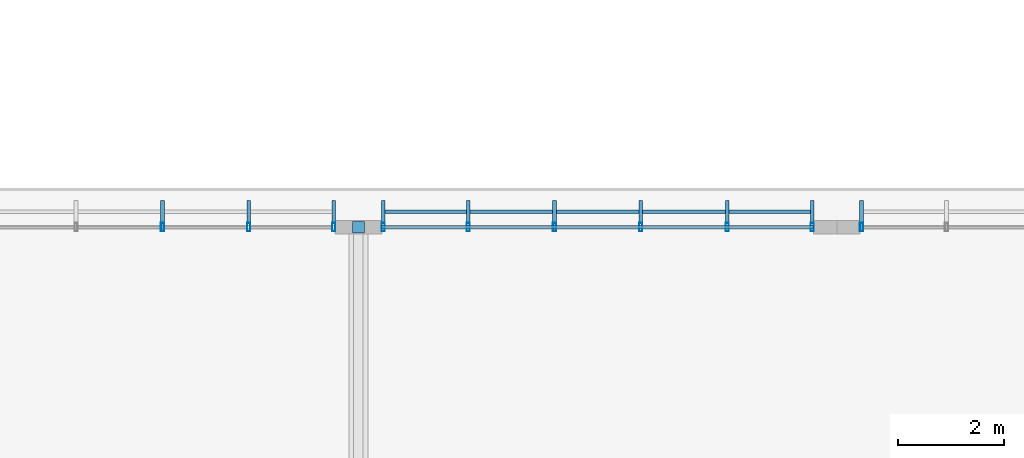
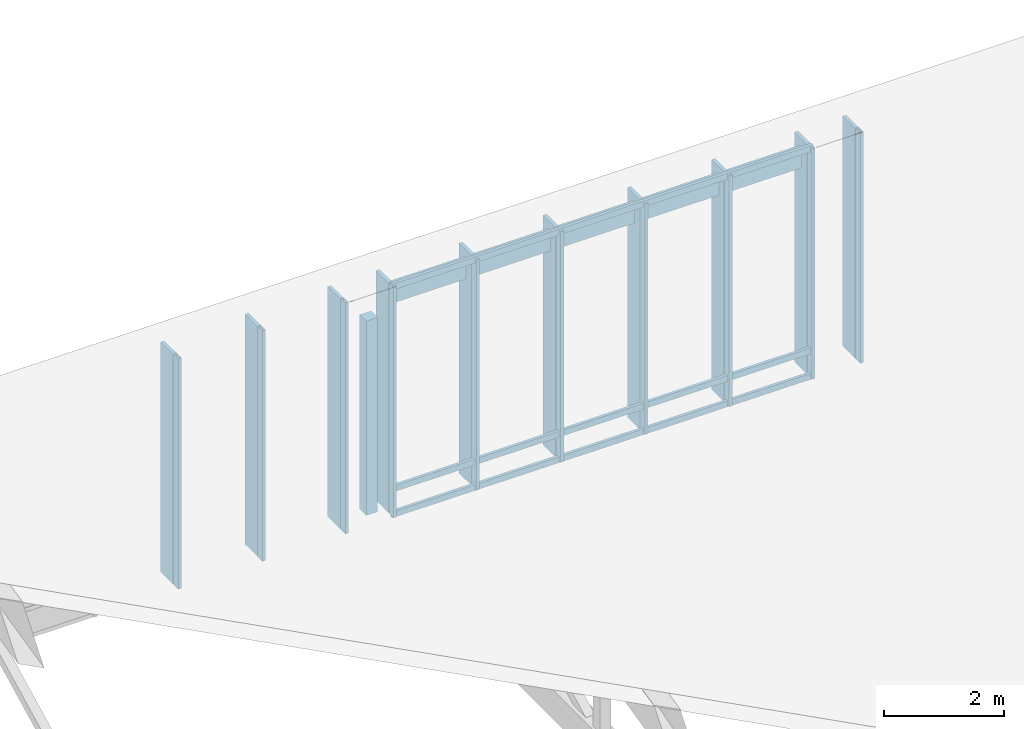
# One storey, part 61 of 182: 25 members, 3 elements without a shape of their own.
"""IFC4 building model written with IfcOpenShell, lengths in metres."""

from ifc_helpers import new_model, si_unit, direction, frame, origin, origin_2d, place, context, subcontext, project, spatial, rectangle, hollow_rectangle, extrude, material, material_profile, profile_set, type_object, element, aggregate, save


model = new_model("IFC4")

# Units and contexts
model_context = context("Model", 3, precision=1e-05, world=origin(), true_north=direction((0.0, 1.0)))
body_context = subcontext(model_context, "Body", "Model", "MODEL_VIEW")
ifc_project = project(units=[si_unit("LENGTHUNIT", "METRE"), si_unit("AREAUNIT", "SQUARE_METRE"), si_unit("VOLUMEUNIT", "CUBIC_METRE"), si_unit("PLANEANGLEUNIT", "RADIAN"), si_unit("MASSUNIT", "GRAM", prefix="KILO")], contexts=[model_context])

# Site, building, storey
site_placement = place(None, origin())
site = spatial("IfcSite", under=ifc_project, at=site_placement, CompositionType="ELEMENT")
building_placement = place(site_placement, origin())
building = spatial("IfcBuilding", under=site, at=building_placement, Name="Chiffa Square Polytechnic", CompositionType="ELEMENT")
storey_placement = place(building_placement, frame((0.0, 0.0, 9.60009765625)))
storey = spatial("IfcBuildingStorey", under=building, at=storey_placement, Name="L02", CompositionType="ELEMENT", Elevation=9.60009765625)

# Curtain wall, members
ifc_material_1 = material(Name="Aluminium EN AW-6060 T66 and glulam shading", Category="wood")
curtain_wall_type_1 = type_object("IfcCurtainWallType", Name="CW-VERT-360X380", PredefinedType="USERDEFINED", material=ifc_material_1)
curtain_wall_1_placement = place(storey_placement, origin())
curtain_wall_1 = element("IfcCurtainWall", 1, at=curtain_wall_1_placement, inside=storey, type_object=curtain_wall_type_1, Name="Curtain wall CW-V4-CLRN-04", ObjectType="CURTAIN WALL", PredefinedType="USERDEFINED")
ifc_material_2 = material(Name="Aluminium EN AW-6060 T66", Category="aluminium")
ifc_material_profile_1 = material_profile(ifc_material_2, hollow_rectangle(XDim=0.06005859375, YDim=0.159912109375, WallThickness=0.00390625, at=origin_2d()), Name="ALU 60x160x4")
ifc_profile_set_1 = profile_set([ifc_material_profile_1], Name="Aluminium EN AW-6060 T66")
member_type_1 = type_object("IfcMemberType", Name="CWM-ALU-65X150", PredefinedType="MULLION", material=ifc_profile_set_1)
member_1_placement = place(storey_placement, frame((84.135009765625, 43.800048828125, 0.039794921875), z_axis=(0.0, 0.0, 1.0), x_axis=(1.0, 0.0, 0.0)))
member_1 = element("IfcMember", 2, at=member_1_placement, type_object=member_type_1, Name="Curtain wall mullion CW-V4-CLRN-04-M00", PredefinedType="MULLION", context=body_context, shape_type="SweptSolid", body=[
    extrude(hollow_rectangle(XDim=0.06005859375, YDim=0.159912109375, WallThickness=0.00390625, at=origin_2d()), origin(), (0.0, 0.0, 1.0), 4.703125),
])
member_2_placement = place(storey_placement, frame((82.535888671875, 43.800048828125, 0.039794921875), z_axis=(0.0, 0.0, 1.0), x_axis=(1.0, 0.0, 0.0)))
member_2 = element("IfcMember", 3, at=member_2_placement, type_object=member_type_1, Name="Curtain wall mullion CW-V4-CLRN-04-M01", PredefinedType="MULLION", context=body_context, shape_type="SweptSolid", body=[
    extrude(hollow_rectangle(XDim=0.06005859375, YDim=0.159912109375, WallThickness=0.00390625, at=origin_2d()), origin(), (0.0, 0.0, 1.0), 4.703125),
])
member_3_placement = place(storey_placement, frame((80.912109375, 43.800048828125, 0.039794921875), z_axis=(0.0, 0.0, 1.0), x_axis=(1.0, 0.0, 0.0)))
member_3 = element("IfcMember", 4, at=member_3_placement, type_object=member_type_1, Name="Curtain wall mullion CW-V4-CLRN-04-M02", PredefinedType="MULLION", context=body_context, shape_type="SweptSolid", body=[
    extrude(hollow_rectangle(XDim=0.06005859375, YDim=0.159912109375, WallThickness=0.00390625, at=origin_2d()), origin(), (0.0, 0.0, 1.0), 4.703125),
])

curtain_wall_type_2 = type_object("IfcCurtainWallType", Name="CW-VERT-480X380", PredefinedType="USERDEFINED", material=ifc_material_1)
curtain_wall_2_placement = place(storey_placement, origin())
curtain_wall_2 = element("IfcCurtainWall", 5, at=curtain_wall_2_placement, inside=storey, type_object=curtain_wall_type_2, Name="Curtain wall CW-V4-CLRN-05", ObjectType="CURTAIN WALL", PredefinedType="USERDEFINED")
member_4_placement = place(storey_placement, frame((93.135009765625, 43.800048828125, 0.039794921875), z_axis=(0.0, 0.0, 1.0), x_axis=(1.0, 0.0, 0.0)))
member_4 = element("IfcMember", 6, at=member_4_placement, type_object=member_type_1, Name="Curtain wall mullion CW-V4-CLRN-05-M00", PredefinedType="MULLION", context=body_context, shape_type="SweptSolid", body=[
    extrude(hollow_rectangle(XDim=0.06005859375, YDim=0.159912109375, WallThickness=0.00390625, at=origin_2d()), origin(), (0.0, 0.0, 1.0), 4.703125),
])
member_5_placement = place(storey_placement, frame((91.535888671875, 43.800048828125, 0.039794921875), z_axis=(0.0, 0.0, 1.0), x_axis=(1.0, 0.0, 0.0)))
member_5 = element("IfcMember", 7, at=member_5_placement, type_object=member_type_1, Name="Curtain wall mullion CW-V4-CLRN-05-M01", PredefinedType="MULLION", context=body_context, shape_type="SweptSolid", body=[
    extrude(hollow_rectangle(XDim=0.06005859375, YDim=0.159912109375, WallThickness=0.00390625, at=origin_2d()), origin(), (0.0, 0.0, 1.0), 4.703125),
])
member_6_placement = place(storey_placement, frame((89.912109375, 43.800048828125, 0.039794921875), z_axis=(0.0, 0.0, 1.0), x_axis=(1.0, 0.0, 0.0)))
member_6 = element("IfcMember", 8, at=member_6_placement, type_object=member_type_1, Name="Curtain wall mullion CW-V4-CLRN-05-M02", PredefinedType="MULLION", context=body_context, shape_type="SweptSolid", body=[
    extrude(hollow_rectangle(XDim=0.06005859375, YDim=0.159912109375, WallThickness=0.00390625, at=origin_2d()), origin(), (0.0, 0.0, 1.0), 4.703125),
])
member_7_placement = place(storey_placement, frame((88.2880859375, 43.800048828125, 0.039794921875), z_axis=(0.0, 0.0, 1.0), x_axis=(1.0, 0.0, 0.0)))
member_7 = element("IfcMember", 9, at=member_7_placement, type_object=member_type_1, Name="Curtain wall mullion CW-V4-CLRN-05-M03", PredefinedType="MULLION", context=body_context, shape_type="SweptSolid", body=[
    extrude(hollow_rectangle(XDim=0.06005859375, YDim=0.159912109375, WallThickness=0.00390625, at=origin_2d()), origin(), (0.0, 0.0, 1.0), 4.703125),
])
member_8_placement = place(storey_placement, frame((86.6640625, 43.800048828125, 0.039794921875), z_axis=(0.0, 0.0, 1.0), x_axis=(1.0, 0.0, 0.0)))
member_8 = element("IfcMember", 10, at=member_8_placement, type_object=member_type_1, Name="Curtain wall mullion CW-V4-CLRN-05-M04", PredefinedType="MULLION", context=body_context, shape_type="SweptSolid", body=[
    extrude(hollow_rectangle(XDim=0.06005859375, YDim=0.159912109375, WallThickness=0.00390625, at=origin_2d()), origin(), (0.0, 0.0, 1.0), 4.703125),
])
member_9_placement = place(storey_placement, frame((85.06494140625, 43.800048828125, 0.039794921875), z_axis=(0.0, 0.0, 1.0), x_axis=(1.0, 0.0, 0.0)))
member_9 = element("IfcMember", 11, at=member_9_placement, type_object=member_type_1, Name="Curtain wall mullion CW-V4-CLRN-05-M05", PredefinedType="MULLION", context=body_context, shape_type="SweptSolid", body=[
    extrude(hollow_rectangle(XDim=0.06005859375, YDim=0.159912109375, WallThickness=0.00390625, at=origin_2d()), origin(), (0.0, 0.0, 1.0), 4.703125),
])

# Curtain wall, member
curtain_wall_type_3 = type_object("IfcCurtainWallType", Name="CW-VERT-540X440", PredefinedType="USERDEFINED", material=ifc_material_1)
curtain_wall_3_placement = place(storey_placement, origin())
curtain_wall_3 = element("IfcCurtainWall", 12, at=curtain_wall_3_placement, inside=storey, type_object=curtain_wall_type_3, Name="Curtain wall CW-V4-CLRN-06", ObjectType="CURTAIN WALL", PredefinedType="USERDEFINED")
member_10_placement = place(storey_placement, frame((94.06494140625, 43.800048828125, 0.039794921875), z_axis=(0.0, 0.0, 1.0), x_axis=(1.0, 0.0, 0.0)))
member_10 = element("IfcMember", 13, at=member_10_placement, type_object=member_type_1, Name="Curtain wall mullion CW-V4-CLRN-06-M05", PredefinedType="MULLION", context=body_context, shape_type="SweptSolid", body=[
    extrude(hollow_rectangle(XDim=0.06005859375, YDim=0.159912109375, WallThickness=0.00390625, at=origin_2d()), origin(), (0.0, 0.0, 1.0), 4.703125),
])

# Member
ifc_material_3 = material(Name="Glulam GL28h", Category="wood")
ifc_material_profile_2 = material_profile(ifc_material_3, rectangle(XDim=0.070068359375, YDim=0.419921875, at=origin_2d()), Name="GL28h 70x420")
ifc_profile_set_2 = profile_set([ifc_material_profile_2], Name="Glulam GL28h")
member_type_2 = type_object("IfcMemberType", Name="CWM-GL-70X420", PredefinedType="MULLION", material=ifc_profile_set_2)
member_11_placement = place(storey_placement, frame((84.135009765625, 44.092041015625, 0.0498046875), z_axis=(0.0, 0.0, 1.0), x_axis=(-1.0, 0.0, 0.0)))
member_11 = element("IfcMember", 14, at=member_11_placement, type_object=member_type_2, Name="Exterior glulam solar fin CW-V4-CLRN-04-FN00", PredefinedType="MULLION", context=body_context, shape_type="SweptSolid", body=[
    extrude(rectangle(XDim=0.070068359375, YDim=0.419921875, at=origin_2d()), origin(), (0.0, 0.0, 1.0), 4.68310546875),
])

member_12_placement = place(storey_placement, frame((82.535888671875, 44.092041015625, 0.0498046875), z_axis=(0.0, 0.0, 1.0), x_axis=(-1.0, 0.0, 0.0)))
member_12 = element("IfcMember", 15, at=member_12_placement, type_object=member_type_2, Name="Exterior glulam solar fin CW-V4-CLRN-04-FN01", PredefinedType="MULLION", context=body_context, shape_type="SweptSolid", body=[
    extrude(rectangle(XDim=0.070068359375, YDim=0.419921875, at=origin_2d()), origin(), (0.0, 0.0, 1.0), 4.68310546875),
])

member_13_placement = place(storey_placement, frame((80.912109375, 44.092041015625, 0.0498046875), z_axis=(0.0, 0.0, 1.0), x_axis=(-1.0, 0.0, 0.0)))
member_13 = element("IfcMember", 16, at=member_13_placement, type_object=member_type_2, Name="Exterior glulam solar fin CW-V4-CLRN-04-FN02", PredefinedType="MULLION", context=body_context, shape_type="SweptSolid", body=[
    extrude(rectangle(XDim=0.070068359375, YDim=0.419921875, at=origin_2d()), origin(), (0.0, 0.0, 1.0), 4.68310546875),
])

aggregate(curtain_wall_1, [member_1, member_11, member_2, member_12, member_3, member_13])

member_14_placement = place(storey_placement, frame((93.135009765625, 44.092041015625, 0.0498046875), z_axis=(0.0, 0.0, 1.0), x_axis=(-1.0, 0.0, 0.0)))
member_14 = element("IfcMember", 17, at=member_14_placement, type_object=member_type_2, Name="Exterior glulam solar fin CW-V4-CLRN-05-FN00", PredefinedType="MULLION", context=body_context, shape_type="SweptSolid", body=[
    extrude(rectangle(XDim=0.070068359375, YDim=0.419921875, at=origin_2d()), origin(), (0.0, 0.0, 1.0), 4.68310546875),
])

member_15_placement = place(storey_placement, frame((91.535888671875, 44.092041015625, 0.0498046875), z_axis=(0.0, 0.0, 1.0), x_axis=(-1.0, 0.0, 0.0)))
member_15 = element("IfcMember", 18, at=member_15_placement, type_object=member_type_2, Name="Exterior glulam solar fin CW-V4-CLRN-05-FN01", PredefinedType="MULLION", context=body_context, shape_type="SweptSolid", body=[
    extrude(rectangle(XDim=0.070068359375, YDim=0.419921875, at=origin_2d()), origin(), (0.0, 0.0, 1.0), 4.68310546875),
])

member_16_placement = place(storey_placement, frame((89.912109375, 44.092041015625, 0.0498046875), z_axis=(0.0, 0.0, 1.0), x_axis=(-1.0, 0.0, 0.0)))
member_16 = element("IfcMember", 19, at=member_16_placement, type_object=member_type_2, Name="Exterior glulam solar fin CW-V4-CLRN-05-FN02", PredefinedType="MULLION", context=body_context, shape_type="SweptSolid", body=[
    extrude(rectangle(XDim=0.070068359375, YDim=0.419921875, at=origin_2d()), origin(), (0.0, 0.0, 1.0), 4.68310546875),
])

member_17_placement = place(storey_placement, frame((88.2880859375, 44.092041015625, 0.0498046875), z_axis=(0.0, 0.0, 1.0), x_axis=(-1.0, 0.0, 0.0)))
member_17 = element("IfcMember", 20, at=member_17_placement, type_object=member_type_2, Name="Exterior glulam solar fin CW-V4-CLRN-05-FN03", PredefinedType="MULLION", context=body_context, shape_type="SweptSolid", body=[
    extrude(rectangle(XDim=0.070068359375, YDim=0.419921875, at=origin_2d()), origin(), (0.0, 0.0, 1.0), 4.68310546875),
])

member_18_placement = place(storey_placement, frame((86.6640625, 44.092041015625, 0.0498046875), z_axis=(0.0, 0.0, 1.0), x_axis=(-1.0, 0.0, 0.0)))
member_18 = element("IfcMember", 21, at=member_18_placement, type_object=member_type_2, Name="Exterior glulam solar fin CW-V4-CLRN-05-FN04", PredefinedType="MULLION", context=body_context, shape_type="SweptSolid", body=[
    extrude(rectangle(XDim=0.070068359375, YDim=0.419921875, at=origin_2d()), origin(), (0.0, 0.0, 1.0), 4.68310546875),
])

member_19_placement = place(storey_placement, frame((85.06494140625, 44.092041015625, 0.0498046875), z_axis=(0.0, 0.0, 1.0), x_axis=(-1.0, 0.0, 0.0)))
member_19 = element("IfcMember", 22, at=member_19_placement, type_object=member_type_2, Name="Exterior glulam solar fin CW-V4-CLRN-05-FN05", PredefinedType="MULLION", context=body_context, shape_type="SweptSolid", body=[
    extrude(rectangle(XDim=0.070068359375, YDim=0.419921875, at=origin_2d()), origin(), (0.0, 0.0, 1.0), 4.68310546875),
])

member_20_placement = place(storey_placement, frame((94.06494140625, 44.092041015625, 0.0498046875), z_axis=(0.0, 0.0, 1.0), x_axis=(-1.0, 0.0, 0.0)))
member_20 = element("IfcMember", 23, at=member_20_placement, type_object=member_type_2, Name="Exterior glulam solar fin CW-V4-CLRN-06-FN05", PredefinedType="MULLION", context=body_context, shape_type="SweptSolid", body=[
    extrude(rectangle(XDim=0.070068359375, YDim=0.419921875, at=origin_2d()), origin(), (0.0, 0.0, 1.0), 4.68310546875),
])

aggregate(curtain_wall_3, [member_10, member_20])

ifc_material_profile_3 = material_profile(ifc_material_2, hollow_rectangle(XDim=0.06005859375, YDim=0.1201171875, WallThickness=0.00390625, at=origin_2d()), Name="ALU 60x120x4")
ifc_profile_set_3 = profile_set([ifc_material_profile_3], Name="Aluminium EN AW-6060 T66")
member_type_3 = type_object("IfcMemberType", Name="CWT-ALU-65X120", PredefinedType="USERDEFINED", material=ifc_profile_set_3)
member_21_placement = place(storey_placement, frame((93.162109375, 43.800048828125, 0.06982421875), z_axis=(-1.0, 0.0, 0.0), x_axis=(0.0, -1.0, 0.0)))
member_21 = element("IfcMember", 24, at=member_21_placement, type_object=member_type_3, Name="Curtain wall transom CW-V4-CLRN-05-T01", ObjectType="TRANSOM", PredefinedType="USERDEFINED", context=body_context, shape_type="SweptSolid", body=[
    extrude(hollow_rectangle(XDim=0.06005859375, YDim=0.1201171875, WallThickness=0.00390625, at=origin_2d()), origin(), (0.0, 0.0, 1.0), 8.1240234375),
])

member_22_placement = place(storey_placement, frame((93.162109375, 43.800048828125, 0.58984375), z_axis=(-1.0, 0.0, 0.0), x_axis=(0.0, -1.0, 0.0)))
member_22 = element("IfcMember", 25, at=member_22_placement, type_object=member_type_3, Name="Curtain wall transom CW-V4-CLRN-05-T02", ObjectType="TRANSOM", PredefinedType="USERDEFINED", context=body_context, shape_type="SweptSolid", body=[
    extrude(hollow_rectangle(XDim=0.06005859375, YDim=0.1201171875, WallThickness=0.00390625, at=origin_2d()), origin(), (0.0, 0.0, 1.0), 8.1240234375),
])

member_23_placement = place(storey_placement, frame((93.162109375, 43.800048828125, 4.712890625), z_axis=(-1.0, 0.0, 0.0), x_axis=(0.0, -1.0, 0.0)))
member_23 = element("IfcMember", 26, at=member_23_placement, type_object=member_type_3, Name="Curtain wall transom CW-V4-CLRN-05-T03", ObjectType="TRANSOM", PredefinedType="USERDEFINED", context=body_context, shape_type="SweptSolid", body=[
    extrude(hollow_rectangle(XDim=0.06005859375, YDim=0.1201171875, WallThickness=0.00390625, at=origin_2d()), origin(), (0.0, 0.0, 1.0), 8.1240234375),
])

ifc_material_profile_4 = material_profile(ifc_material_3, rectangle(XDim=0.070068359375, YDim=0.419921875, at=origin_2d()), Name="GL28h 70x420")
ifc_profile_set_4 = profile_set([ifc_material_profile_4], Name="Glulam GL28h")
member_type_4 = type_object("IfcMemberType", Name="CWT-GL-70X420", PredefinedType="USERDEFINED", material=ifc_profile_set_4)
member_24_placement = place(storey_placement, frame((93.135009765625, 44.092041015625, 4.36279296875), z_axis=(-1.0, 0.0, 0.0), x_axis=(0.0, -1.0, 0.0)))
member_24 = element("IfcMember", 27, at=member_24_placement, type_object=member_type_4, Name="Exterior glulam brise-soleil CW-V4-CLRN-05-BS01", ObjectType="TRANSOM", PredefinedType="USERDEFINED", context=body_context, shape_type="SweptSolid", body=[
    extrude(rectangle(XDim=0.070068359375, YDim=0.419921875, at=origin_2d()), origin(), (0.0, 0.0, 1.0), 8.070068359375),
])

aggregate(curtain_wall_2, [member_4, member_14, member_5, member_15, member_6, member_16, member_7, member_17, member_8, member_18, member_9, member_19, member_21, member_22, member_23, member_24])

ifc_material_profile_5 = material_profile(ifc_material_3, rectangle(XDim=0.219970703125, YDim=0.219970703125, at=origin_2d()), Name="GL28h 220x220")
ifc_profile_set_5 = profile_set([ifc_material_profile_5], Name="Glulam GL28h")
member_type_5 = type_object("IfcMemberType", Name="MEM-WEB-GL220", PredefinedType="MEMBER", material=ifc_profile_set_5)
member_25_placement = place(storey_placement, frame((84.60009765625, 43.800048828125, 0.2998046875), z_axis=(0.0, 0.0, 1.0), x_axis=(1.0, 0.0, 0.0)))
element("IfcMember", 28, at=member_25_placement, inside=storey, type_object=member_type_5, Name="Refectory butterfly eave vertical TWV-V4-N05-E", PredefinedType="MEMBER", context=body_context, shape_type="SweptSolid", body=[
    extrude(rectangle(XDim=0.219970703125, YDim=0.219970703125, at=origin_2d()), origin(), (0.0, 0.0, 1.0), 3.963134765625),
])

save(model, "model.ifc")
